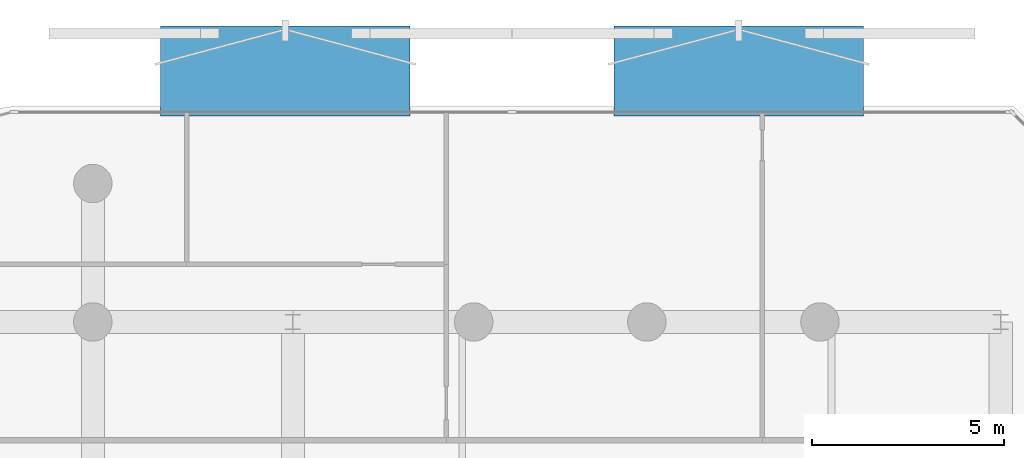
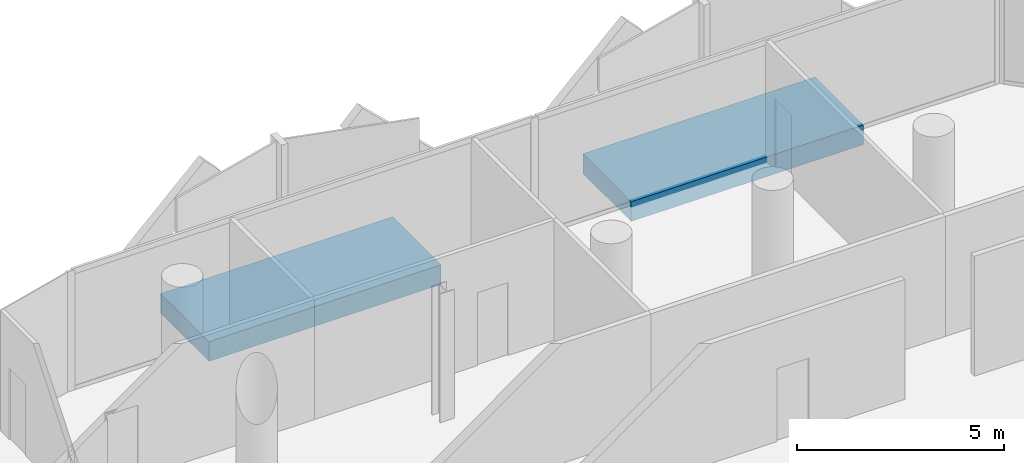
# One storey, part 8 of 15: 2 discrete accessories.
"""IFC4 building model written with IfcOpenShell, lengths in metres."""

from ifc_helpers import new_model, si_unit, direction, frame, origin, origin_2d, place, context, subcontext, project, spatial, rectangle, extrude, material, type_object, element, save


model = new_model("IFC4")

# Units and contexts
model_context = context("Model", 3, precision=1e-05, world=origin(), true_north=direction((0.0, 1.0)))
body_context = subcontext(model_context, "Body", "Model", "MODEL_VIEW")
ifc_project = project(units=[si_unit("LENGTHUNIT", "METRE"), si_unit("AREAUNIT", "SQUARE_METRE"), si_unit("VOLUMEUNIT", "CUBIC_METRE"), si_unit("PLANEANGLEUNIT", "RADIAN"), si_unit("MASSUNIT", "GRAM", prefix="KILO")], contexts=[model_context])

# Site, building, storey
site_placement = place(None, origin())
site = spatial("IfcSite", under=ifc_project, at=site_placement, CompositionType="ELEMENT")
building_placement = place(site_placement, origin())
building = spatial("IfcBuilding", under=site, at=building_placement, Name="Khairoan Windgate Tower", CompositionType="ELEMENT")
storey_placement = place(building_placement, frame((0.0, 0.0, 289.0)))
storey = spatial("IfcBuildingStorey", under=building, at=storey_placement, Name="L69", CompositionType="ELEMENT", Elevation=289.0)

# Discrete accessories
ifc_material = material(Name="Steel S355", Category="steel")
discrete_accessory_type = type_object("IfcDiscreteAccessoryType", Name="Solar Screen Outrigger Slab Bracket SSB-1", PredefinedType="BRACKET", material=ifc_material)
for number, where, z_axis, x_axis, name in (
    (1, (-9.397705078125, 25.1298828125, -0.419921875), (0.0, 0.0, 1.0), (1.0, 0.0, 0.0), "L69 Solar Screen Outrigger Bracket 482"),
    (2, (2.388916015625, 25.1298828125, -0.419921875), (0.0, 0.0, 1.0), (1.0, 0.0, 0.0), "L69 Solar Screen Outrigger Bracket 483"),
):
    element("IfcDiscreteAccessory", number, at=place(storey_placement, frame(where, z_axis=z_axis, x_axis=x_axis)), inside=storey, type_object=discrete_accessory_type, Name=name, PredefinedType="BRACKET", context=body_context, shape_type="SweptSolid", body=[
        extrude(rectangle(XDim=6.48291015625, YDim=2.340087890625, at=origin_2d()), origin(), (0.0, 0.0, 1.0), 0.580078125),
    ])

save(model, "model.ifc")
